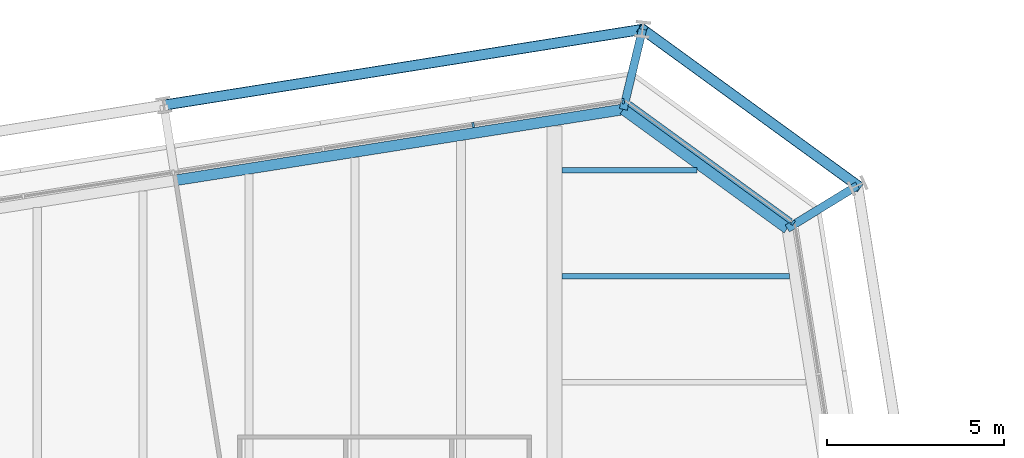
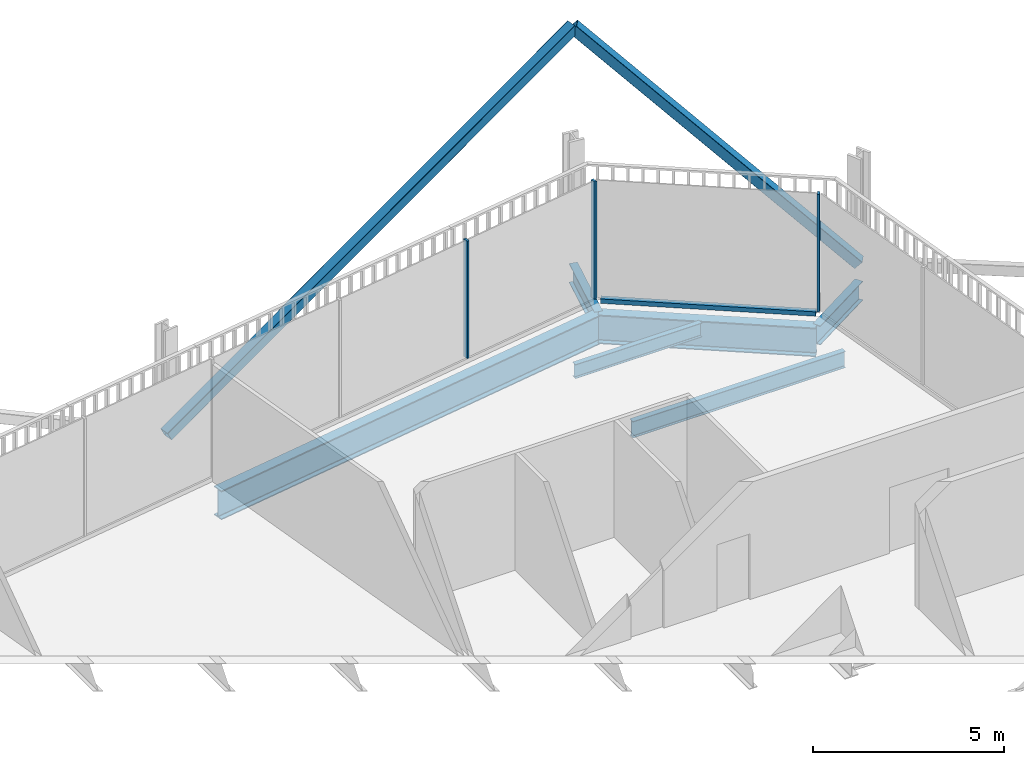
# One storey, part 16 of 22: 6 beams, 6 members, 2 elements without a shape of their own.
"""IFC4 building model written with IfcOpenShell, lengths in metres."""

from ifc_helpers import new_model, si_unit, direction, frame, origin, origin_2d, place, context, subcontext, project, spatial, rectangle, hollow_rectangle, i_section, extrude, material, layer, layer_set, material_profile, profile_set, type_object, element, aggregate, save


model = new_model("IFC4")

# Units and contexts
model_context = context("Model", 3, precision=1e-05, world=origin(), true_north=direction((0.0, 1.0)))
body_context = subcontext(model_context, "Body", "Model", "MODEL_VIEW")
ifc_project = project(units=[si_unit("LENGTHUNIT", "METRE"), si_unit("AREAUNIT", "SQUARE_METRE"), si_unit("VOLUMEUNIT", "CUBIC_METRE"), si_unit("PLANEANGLEUNIT", "RADIAN"), si_unit("MASSUNIT", "GRAM", prefix="KILO")], contexts=[model_context])

# Site, building, storey
site_placement = place(None, origin())
site = spatial("IfcSite", under=ifc_project, at=site_placement, CompositionType="ELEMENT")
building_placement = place(site_placement, origin())
building = spatial("IfcBuilding", under=site, at=building_placement, Name="Millrace Tower", CompositionType="ELEMENT")
storey_placement = place(building_placement, frame((0.0, 0.0, 160.699951171875)))
storey = spatial("IfcBuildingStorey", under=building, at=storey_placement, Name="L36", CompositionType="ELEMENT", Elevation=160.699951171875)

# Curtain wall, member
ifc_material_1 = material(Name="Aluminium and glass", Category="aluminium")
ifc_layer = layer(ifc_material_1, 0.14990234375)
ifc_layer_set = layer_set([ifc_layer], Name="Aluminium and glass")
curtain_wall_type = type_object("IfcCurtainWallType", Name="CW-1 office vision curtain wall", PredefinedType="NOTDEFINED", material=ifc_layer_set)
placement = place(storey_placement, origin())
curtain_wall_1 = element("IfcCurtainWall", 1, at=placement, inside=storey, type_object=curtain_wall_type, Name="Curtain wall C-F05 L36", PredefinedType="NOTDEFINED")
ifc_material_2 = material(Name="Aluminium", Category="aluminium")
ifc_material_profile_1 = material_profile(ifc_material_2, rectangle(XDim=0.06494140625, YDim=0.14990234375, at=origin_2d()))
ifc_profile_set_1 = profile_set([ifc_material_profile_1], Name="Aluminium")
member_type_1 = type_object("IfcMemberType", Name="CW-1 office vision curtain wall mullion", PredefinedType="MULLION", material=ifc_profile_set_1)
member_1_placement = place(storey_placement, frame((21.4013671875, 22.517822265625, 0.14013671875), z_axis=(0.0, 0.0, 1.0), x_axis=(-0.809016981623, 0.587785269844, 0.0)))
member_1 = element("IfcMember", 2, at=member_1_placement, type_object=member_type_1, Name="CW1 mullion C-F05.1", PredefinedType="MULLION", context=body_context, shape_type="SweptSolid", body=[
    extrude(rectangle(XDim=0.06494140625, YDim=0.14990234375, at=origin_2d()), origin(), (0.0, 0.0, 1.0), 3.760009765625),
])

# Curtain wall, members
curtain_wall_2 = element("IfcCurtainWall", 3, at=placement, inside=storey, type_object=curtain_wall_type, Name="Curtain wall C-F06 L36", PredefinedType="NOTDEFINED")
member_2_placement = place(storey_placement, frame((16.591796875, 25.956787109375, 0.14013671875), z_axis=(0.0, 0.0, 1.0), x_axis=(-0.98768833929, -0.15643447328, 0.0)))
member_2 = element("IfcMember", 4, at=member_2_placement, type_object=member_type_1, Name="CW1 mullion C-F06.1", PredefinedType="MULLION", context=body_context, shape_type="SweptSolid", body=[
    extrude(rectangle(XDim=0.06494140625, YDim=0.14990234375, at=origin_2d()), origin(), (0.0, 0.0, 1.0), 3.760009765625),
])
member_3_placement = place(storey_placement, frame((12.3447265625, 25.283935546875, 0.14013671875), z_axis=(0.0, 0.0, 1.0), x_axis=(-0.98768833929, -0.15643447328, 0.0)))
member_3 = element("IfcMember", 5, at=member_3_placement, type_object=member_type_1, Name="CW1 mullion C-F06.2", PredefinedType="MULLION", context=body_context, shape_type="SweptSolid", body=[
    extrude(rectangle(XDim=0.06494140625, YDim=0.14990234375, at=origin_2d()), origin(), (0.0, 0.0, 1.0), 3.760009765625),
])
aggregate(curtain_wall_2, [member_2, member_3])

# Member
ifc_material_3 = material(Name="Aluminium", Category="aluminium")
ifc_material_profile_2 = material_profile(ifc_material_3, rectangle(XDim=0.14990234375, YDim=0.139892578125, at=origin_2d()))
ifc_profile_set_2 = profile_set([ifc_material_profile_2], Name="Aluminium")
member_type_2 = type_object("IfcMemberType", Name="CW-1 office vision curtain wall transom", PredefinedType="USERDEFINED", material=ifc_profile_set_2)
member_4_placement = place(storey_placement, frame((21.346923828125, 22.557373046875, 0.070068359375), z_axis=(-0.809013470651, 0.587790102252, 0.0), x_axis=(-0.587790102252, -0.809013470651, 0.0)))
member_4 = element("IfcMember", 6, at=member_4_placement, type_object=member_type_2, Name="CW1 transom C-F05.1", ObjectType="TRANSOM", PredefinedType="USERDEFINED", context=body_context, shape_type="SweptSolid", body=[
    extrude(rectangle(XDim=0.14990234375, YDim=0.139892578125, at=origin_2d()), origin(), (0.0, 0.0, 1.0), 5.669189453125),
])

aggregate(curtain_wall_1, [member_1, member_4])

# Members
ifc_material_4 = material(Name="Steel ASTM A500 Grade C", Category="steel")
ifc_material_profile_3 = material_profile(ifc_material_4, hollow_rectangle(XDim=0.3046875, YDim=0.3046875, WallThickness=0.0126953125, InnerFilletRadius=0.00634765625, OuterFilletRadius=0.01904296875, at=origin_2d()))
ifc_profile_set_3 = profile_set([ifc_material_profile_3], Name="Steel ASTM A500 Grade C")
member_type_3 = type_object("IfcMemberType", Name="Exoskeleton brace HSS12x12x1/2", PredefinedType="BRACE", material=ifc_profile_set_3)
member_5_placement = place(storey_placement, frame((23.2294921875, 23.569091796875, 0.400146484375), z_axis=(-0.592387752691, 0.430389097037, 0.681059450866), x_axis=(-0.587780069364, -0.809020759968, 0.0)))
element("IfcMember", 7, at=member_5_placement, inside=storey, type_object=member_type_3, Name="BRC-C-L36-09", PredefinedType="BRACE", context=body_context, shape_type="SweptSolid", body=[
    extrude(hollow_rectangle(XDim=0.3046875, YDim=0.3046875, WallThickness=0.0126953125, InnerFilletRadius=0.00634765625, OuterFilletRadius=0.01904296875, at=origin_2d()), origin(), (0.0, 0.0, 1.0), 10.278076171875),
])
member_6_placement = place(storey_placement, frame((3.58154296875, 25.844970703125, 0.400146484375), z_axis=(0.879904612171, 0.139370908249, 0.454250617407), x_axis=(-0.156442906258, 0.987687003601, 0.0)))
element("IfcMember", 8, at=member_6_placement, inside=storey, type_object=member_type_3, Name="BRC-C-L36-10", PredefinedType="BRACE", context=body_context, shape_type="SweptSolid", body=[
    extrude(hollow_rectangle(XDim=0.3046875, YDim=0.3046875, WallThickness=0.0126953125, InnerFilletRadius=0.00634765625, OuterFilletRadius=0.01904296875, at=origin_2d()), origin(), (0.0, 0.0, 1.0), 15.409912109375),
])

# Beams
ifc_material_5 = material(Name="Steel ASTM A992 Grade 50", Category="steel")
ifc_material_profile_4 = material_profile(ifc_material_5, i_section(OverallWidth=0.15234375, OverallDepth=0.449462890625, WebThickness=0.007568359375, FlangeThickness=0.0107421875, FilletRadius=0.01025390625, at=origin_2d()))
ifc_profile_set_4 = profile_set([ifc_material_profile_4], Name="Steel ASTM A992 Grade 50")
beam_type_1 = type_object("IfcBeamType", Name="Floor beam W18x35", PredefinedType="JOIST", material=ifc_profile_set_4)
beam_1_placement = place(storey_placement, frame((14.859619140625, 24.0, -0.384765625), z_axis=(1.0, 0.0, 0.0), x_axis=(0.0, 1.0, 0.0)))
element("IfcBeam", 9, at=beam_1_placement, inside=storey, type_object=beam_type_1, Name="BM-C-L36-S1-S038", PredefinedType="JOIST", context=body_context, shape_type="SweptSolid", body=[
    extrude(i_section(OverallWidth=0.15234375, OverallDepth=0.449462890625, WebThickness=0.007568359375, FlangeThickness=0.0107421875, FilletRadius=0.01025390625, at=origin_2d()), origin(), (0.0, 0.0, 1.0), 3.8232421875),
])
ifc_material_6 = material(Name="Steel ASTM A992 Grade 50", Category="steel")
ifc_material_profile_5 = material_profile(ifc_material_6, i_section(OverallWidth=0.1650390625, OverallDepth=0.52587890625, WebThickness=0.0087890625, FlangeThickness=0.011474609375, FilletRadius=0.0126953125, at=origin_2d()))
ifc_profile_set_5 = profile_set([ifc_material_profile_5], Name="Steel ASTM A992 Grade 50")
beam_type_2 = type_object("IfcBeamType", Name="Floor beam W21x44", PredefinedType="JOIST", material=ifc_profile_set_5)
beam_2_placement = place(storey_placement, frame((14.859619140625, 21.0, -0.4228515625), z_axis=(1.0, 0.0, 0.0), x_axis=(0.0, 1.0, 0.0)))
element("IfcBeam", 10, at=beam_2_placement, inside=storey, type_object=beam_type_2, Name="BM-C-L36-S1-S037", PredefinedType="JOIST", context=body_context, shape_type="SweptSolid", body=[
    extrude(i_section(OverallWidth=0.1650390625, OverallDepth=0.52587890625, WebThickness=0.0087890625, FlangeThickness=0.011474609375, FilletRadius=0.0126953125, at=origin_2d()), origin(), (0.0, 0.0, 1.0), 6.440673828125),
])
ifc_material_7 = material(Name="Steel ASTM A992 Grade 50", Category="steel")
ifc_material_profile_6 = material_profile(ifc_material_7, i_section(OverallWidth=0.23046875, OverallDepth=0.6171875, WebThickness=0.01318359375, FlangeThickness=0.022216796875, FilletRadius=0.012939453125, at=origin_2d()))
ifc_profile_set_6 = profile_set([ifc_material_profile_6], Name="Steel ASTM A992 Grade 50")
beam_type_3 = type_object("IfcBeamType", Name="Link beam W24x94", PredefinedType="BEAM", material=ifc_profile_set_6)
beam_3_placement = place(storey_placement, frame((16.5966796875, 25.725830078125, -0.468505859375), z_axis=(0.233432364948, 0.972373041068, 0.0), x_axis=(-0.972373041068, 0.233432364948, 0.0)))
element("IfcBeam", 11, at=beam_3_placement, inside=storey, type_object=beam_type_3, Name="LNK-C-L36-S1-08", PredefinedType="BEAM", context=body_context, shape_type="SweptSolid", body=[
    extrude(i_section(OverallWidth=0.23046875, OverallDepth=0.6171875, WebThickness=0.01318359375, FlangeThickness=0.022216796875, FilletRadius=0.012939453125, at=origin_2d()), origin(), (0.0, 0.0, 1.0), 2.331298828125),
])
beam_4_placement = place(storey_placement, frame((21.241943359375, 22.35107421875, -0.468505859375), z_axis=(0.852631355792, 0.522512938711, 0.0), x_axis=(-0.522512938711, 0.852631355792, 0.0)))
element("IfcBeam", 12, at=beam_4_placement, inside=storey, type_object=beam_type_3, Name="LNK-C-L36-S1-09", PredefinedType="BEAM", context=body_context, shape_type="SweptSolid", body=[
    extrude(i_section(OverallWidth=0.23046875, OverallDepth=0.6171875, WebThickness=0.01318359375, FlangeThickness=0.022216796875, FilletRadius=0.012939453125, at=origin_2d()), origin(), (0.0, 0.0, 1.0), 2.3310546875),
])
ifc_material_8 = material(Name="Steel ASTM A992 Grade 50", Category="steel")
ifc_material_profile_7 = material_profile(ifc_material_8, i_section(OverallWidth=0.307373046875, OverallDepth=0.927001953125, WebThickness=0.01953125, FlangeThickness=0.031982421875, FilletRadius=0.01904296875, at=origin_2d()))
ifc_profile_set_7 = profile_set([ifc_material_profile_7], Name="Steel ASTM A992 Grade 50")
beam_type_4 = type_object("IfcBeamType", Name="Ring beam medium span W36x194", PredefinedType="SPANDREL", material=ifc_profile_set_7)
beam_5_placement = place(storey_placement, frame((3.91845703125, 23.718017578125, -0.62353515625), z_axis=(0.987690996996, 0.156417692264, 0.0), x_axis=(-0.156417692264, 0.987690996996, 0.0)))
element("IfcBeam", 13, at=beam_5_placement, inside=storey, type_object=beam_type_4, Name="RNG-C-L36-S1-07", PredefinedType="SPANDREL", context=body_context, shape_type="SweptSolid", body=[
    extrude(i_section(OverallWidth=0.307373046875, OverallDepth=0.927001953125, WebThickness=0.01953125, FlangeThickness=0.031982421875, FilletRadius=0.01904296875, at=origin_2d()), origin(), (0.0, 0.0, 1.0), 12.836181640625),
])
ifc_material_9 = material(Name="Steel ASTM A992 Grade 50", Category="steel")
ifc_material_profile_8 = material_profile(ifc_material_9, i_section(OverallWidth=0.307373046875, OverallDepth=0.927001953125, WebThickness=0.01953125, FlangeThickness=0.031982421875, FilletRadius=0.01904296875, at=origin_2d()))
ifc_profile_set_8 = profile_set([ifc_material_profile_8], Name="Steel ASTM A992 Grade 50")
beam_type_5 = type_object("IfcBeamType", Name="Ring beam short span W36x194", PredefinedType="SPANDREL", material=ifc_profile_set_8)
beam_6_placement = place(storey_placement, frame((16.5966796875, 25.725830078125, -0.62353515625), z_axis=(0.809035690681, -0.587759518174, 0.0), x_axis=(0.587759518174, 0.809035690681, 0.0)))
element("IfcBeam", 14, at=beam_6_placement, inside=storey, type_object=beam_type_5, Name="RNG-C-L36-S1-08", PredefinedType="SPANDREL", context=body_context, shape_type="SweptSolid", body=[
    extrude(i_section(OverallWidth=0.307373046875, OverallDepth=0.927001953125, WebThickness=0.01953125, FlangeThickness=0.031982421875, FilletRadius=0.01904296875, at=origin_2d()), origin(), (0.0, 0.0, 1.0), 5.74169921875),
])

save(model, "model.ifc")
